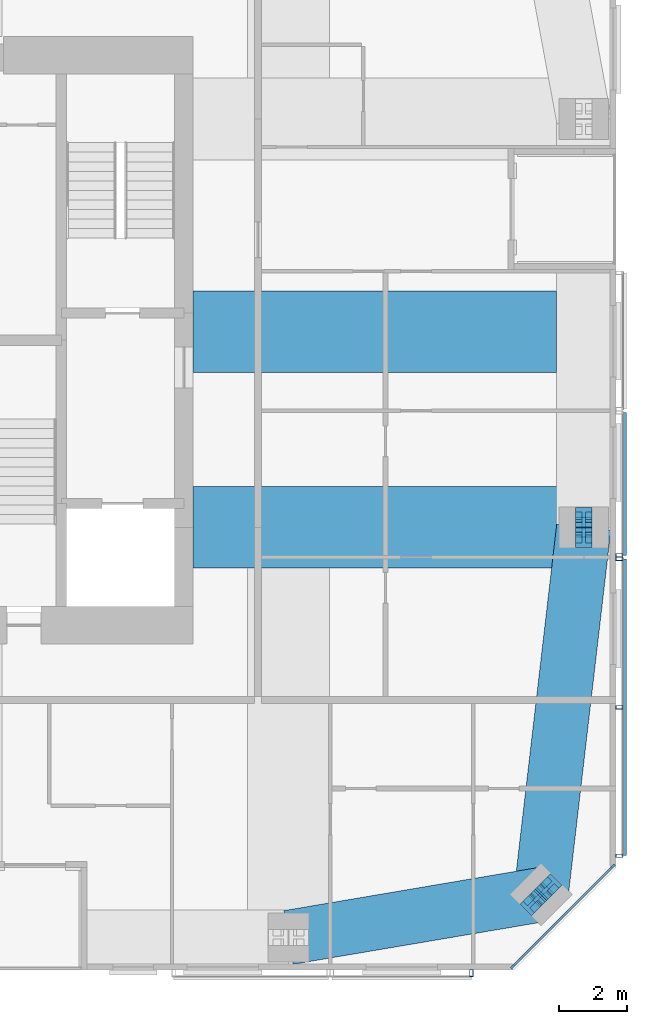
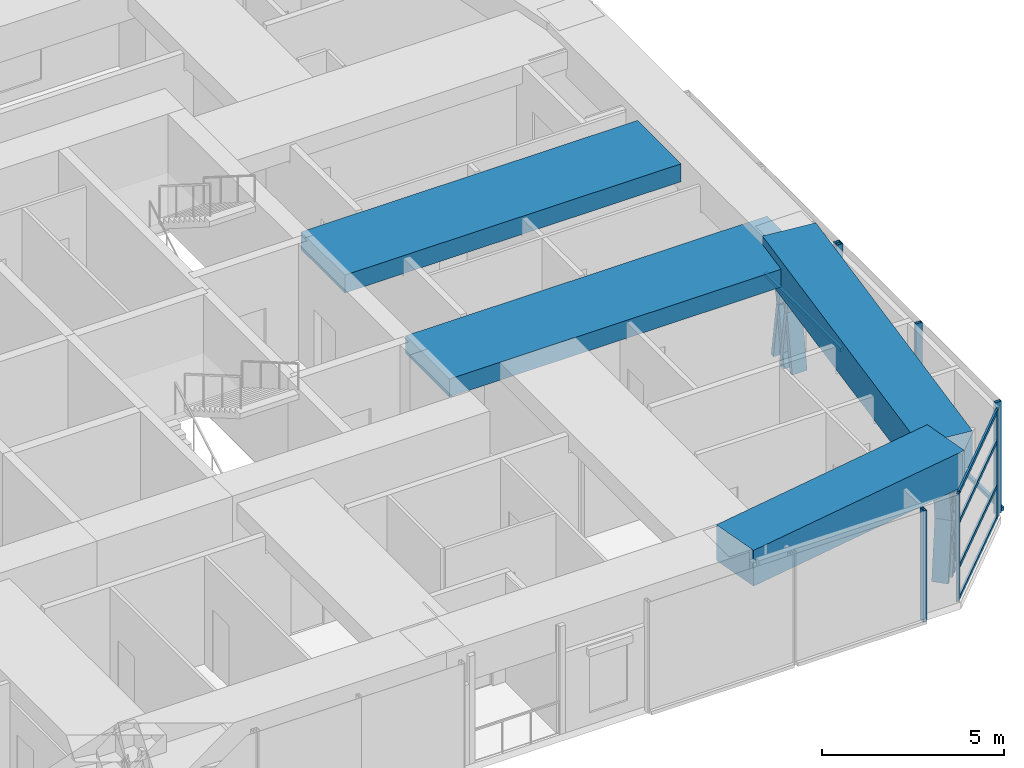
# One storey, part 8 of 20: 21 members, 4 beams, 4 elements without a shape of their own.
"""IFC4 building model written with IfcOpenShell, lengths in metres."""

from ifc_helpers import new_model, si_unit, direction, frame, origin, origin_2d, place, context, subcontext, project, spatial, rectangle, hollow_rectangle, i_section, extrude, material, material_profile, profile_set, type_object, element, aggregate, save


model = new_model("IFC4")

# Units and contexts
model_context = context("Model", 3, precision=1e-05, world=origin(), true_north=direction((0.0, 1.0)))
body_context = subcontext(model_context, "Body", "Model", "MODEL_VIEW")
ifc_project = project(units=[si_unit("LENGTHUNIT", "METRE"), si_unit("AREAUNIT", "SQUARE_METRE"), si_unit("VOLUMEUNIT", "CUBIC_METRE"), si_unit("PLANEANGLEUNIT", "RADIAN"), si_unit("MASSUNIT", "GRAM", prefix="KILO")], contexts=[model_context])

# Site, building, storey
site_placement = place(None, origin())
site = spatial("IfcSite", under=ifc_project, at=site_placement, CompositionType="ELEMENT")
building_placement = place(site_placement, origin())
building = spatial("IfcBuilding", under=site, at=building_placement, Name="Jalousie Tower", CompositionType="ELEMENT")
storey_placement = place(building_placement, frame((0.0, 0.0, 263.85009765625)))
storey = spatial("IfcBuildingStorey", under=building, at=storey_placement, Name="L72", CompositionType="ELEMENT", Elevation=263.85009765625)

# Curtain wall, members
ifc_material_1 = material(Name="Aluminium curtain wall", Category="aluminium")
curtain_wall_type_1 = type_object("IfcCurtainWallType", Name="PENTHOUSE CORNER WINDOW WALL", PredefinedType="USERDEFINED", material=ifc_material_1)
curtain_wall_1_placement = place(storey_placement, origin())
curtain_wall_1 = element("IfcCurtainWall", 1, at=curtain_wall_1_placement, inside=storey, type_object=curtain_wall_type_1, Name="Penthouse Corner Window Wall L72 2", ObjectType="PENTHOUSE CORNER WINDOW WALL", PredefinedType="USERDEFINED")
ifc_material_2 = material(Name="Aluminium mullion", Category="aluminium")
ifc_material_profile_1 = material_profile(ifc_material_2, rectangle(XDim=0.06005859375, YDim=0.179931640625, at=origin_2d()), Name="MULLION 60x180")
ifc_profile_set_1 = profile_set([ifc_material_profile_1], Name="Aluminium mullion")
member_type_1 = type_object("IfcMemberType", Name="PENTHOUSE CORNER WINDOW WALL MULLION", PredefinedType="MULLION", material=ifc_profile_set_1)
member_1_placement = place(storey_placement, frame((53.469970703125, 0.108642578125, 0.0), z_axis=(0.0, 0.0, 1.0), x_axis=(-0.707106781187, 0.707106781187, 0.0)))
member_1 = element("IfcMember", 2, at=member_1_placement, type_object=member_type_1, Name="CW-H mullion 1", PredefinedType="MULLION", context=body_context, shape_type="SweptSolid", body=[
    extrude(rectangle(XDim=0.06005859375, YDim=0.179931640625, at=origin_2d()), origin(), (0.0, 0.0, 1.0), 3.619873046875),
])
member_2_placement = place(storey_placement, frame((56.391357421875, 3.030029296875, 0.0), z_axis=(0.0, 0.0, 1.0), x_axis=(-0.707106781187, 0.707106781187, 0.0)))
member_2 = element("IfcMember", 3, at=member_2_placement, type_object=member_type_1, Name="CW-H mullion 2", PredefinedType="MULLION", context=body_context, shape_type="SweptSolid", body=[
    extrude(rectangle(XDim=0.06005859375, YDim=0.179931640625, at=origin_2d()), origin(), (0.0, 0.0, 1.0), 3.619873046875),
])
ifc_material_3 = material(Name="Aluminium transom", Category="aluminium")
ifc_material_profile_2 = material_profile(ifc_material_3, rectangle(XDim=0.06005859375, YDim=0.125, at=origin_2d()), Name="TRANSOM 60x125")
ifc_profile_set_2 = profile_set([ifc_material_profile_2], Name="Aluminium transom")
member_type_2 = type_object("IfcMemberType", Name="PENTHOUSE CORNER WINDOW WALL TRANSOM", PredefinedType="USERDEFINED", material=ifc_profile_set_2)
member_3_placement = place(storey_placement, frame((53.4912109375, 0.1298828125, 0.02978515625), z_axis=(0.707106781187, 0.707106781187, 0.0), x_axis=(-0.707106781187, 0.707106781187, 0.0)))
member_3 = element("IfcMember", 4, at=member_3_placement, type_object=member_type_2, Name="CW-H transom 1.1", ObjectType="TRANSOM", PredefinedType="USERDEFINED", context=body_context, shape_type="SweptSolid", body=[
    extrude(rectangle(XDim=0.06005859375, YDim=0.125, at=origin_2d()), origin(), (0.0, 0.0, 1.0), 4.0712890625),
])
member_4_placement = place(storey_placement, frame((53.4912109375, 0.1298828125, 1.099853515625), z_axis=(0.707106781187, 0.707106781187, 0.0), x_axis=(-0.707106781187, 0.707106781187, 0.0)))
member_4 = element("IfcMember", 5, at=member_4_placement, type_object=member_type_2, Name="CW-H transom 1.2", ObjectType="TRANSOM", PredefinedType="USERDEFINED", context=body_context, shape_type="SweptSolid", body=[
    extrude(rectangle(XDim=0.06005859375, YDim=0.125, at=origin_2d()), origin(), (0.0, 0.0, 1.0), 4.0712890625),
])
member_5_placement = place(storey_placement, frame((53.4912109375, 0.1298828125, 2.599853515625), z_axis=(0.707106781187, 0.707106781187, 0.0), x_axis=(-0.707106781187, 0.707106781187, 0.0)))
member_5 = element("IfcMember", 6, at=member_5_placement, type_object=member_type_2, Name="CW-H transom 1.3", ObjectType="TRANSOM", PredefinedType="USERDEFINED", context=body_context, shape_type="SweptSolid", body=[
    extrude(rectangle(XDim=0.06005859375, YDim=0.125, at=origin_2d()), origin(), (0.0, 0.0, 1.0), 4.0712890625),
])
member_6_placement = place(storey_placement, frame((53.4912109375, 0.1298828125, 3.58984375), z_axis=(0.707106781187, 0.707106781187, 0.0), x_axis=(-0.707106781187, 0.707106781187, 0.0)))
member_6 = element("IfcMember", 7, at=member_6_placement, type_object=member_type_2, Name="CW-H transom 1.4", ObjectType="TRANSOM", PredefinedType="USERDEFINED", context=body_context, shape_type="SweptSolid", body=[
    extrude(rectangle(XDim=0.06005859375, YDim=0.125, at=origin_2d()), origin(), (0.0, 0.0, 1.0), 4.0712890625),
])
aggregate(curtain_wall_1, [member_1, member_2, member_3, member_4, member_5, member_6])

# Members
ifc_material_4 = material(Name="Steel ASTM A992 Grade 50", Category="steel")
ifc_material_profile_3 = material_profile(ifc_material_4, i_section(OverallWidth=0.472412109375, OverallDepth=0.5791015625, WebThickness=0.094970703125, FlangeThickness=0.1298828125, at=origin_2d()), Name="W14X808")
ifc_profile_set_3 = profile_set([ifc_material_profile_3], Name="Steel ASTM A992 Grade 50")
member_type_3 = type_object("IfcMemberType", Name="PERIMETER BRACE W14X808", PredefinedType="BRACE", material=ifc_profile_set_3)
for number, where, z_axis, x_axis, name in (
    (8, (54.04541015625, 1.959716796875, -0.60009765625), (0.124960137712, 0.124836902862, 0.984276745467), (-0.706757851183, 0.707455539091, 0.0), "Perimeter brace 05 L72 part 1"),
    (9, (54.29296875, 2.20703125, 1.349853515625), (0.124836902862, 0.124960137712, 0.984276745467), (-0.707455539091, 0.706757851183, 0.0), "Perimeter brace 05 L72 part 2"),
    (10, (54.540283203125, 2.45458984375, -0.60009765625), (-0.124836902862, -0.124960137712, 0.984276745467), (0.707455539091, -0.706757851183, 0.0), "Perimeter brace 05 L72 part 3"),
    (11, (54.29296875, 2.20703125, 1.349853515625), (-0.124960137712, -0.124836902862, 0.984276745467), (0.706757851183, -0.707455539091, 0.0), "Perimeter brace 05 L72 part 4"),
):
    element("IfcMember", number, at=place(storey_placement, frame(where, z_axis=z_axis, x_axis=x_axis)), inside=storey, type_object=member_type_3, Name=name, PredefinedType="BRACE", context=body_context, shape_type="SweptSolid", body=[
        extrude(i_section(OverallWidth=0.472412109375, OverallDepth=0.5791015625, WebThickness=0.094970703125, FlangeThickness=0.1298828125, at=origin_2d()), origin(), (0.0, 0.0, 1.0), 1.981201171875),
    ])
for number, where, z_axis, x_axis, name in (
    (12, (55.550048828125, 12.699951171875, -0.60009765625), (0.0, 0.152085080919, 0.988367405453), (-1.0, 0.0, 0.0), "Perimeter brace 06 L72 part 1"),
    (13, (55.550048828125, 13.0, 1.349853515625), (0.0, 0.152085080919, 0.988367405453), (-1.0, 0.0, 0.0), "Perimeter brace 06 L72 part 2"),
    (14, (55.550048828125, 13.300048828125, -0.60009765625), (0.0, -0.152085080919, 0.988367405453), (1.0, 0.0, 0.0), "Perimeter brace 06 L72 part 3"),
    (15, (55.550048828125, 13.0, 1.349853515625), (0.0, -0.152085080919, 0.988367405453), (1.0, 0.0, 0.0), "Perimeter brace 06 L72 part 4"),
):
    element("IfcMember", number, at=place(storey_placement, frame(where, z_axis=z_axis, x_axis=x_axis)), inside=storey, type_object=member_type_3, Name=name, PredefinedType="BRACE", context=body_context, shape_type="SweptSolid", body=[
        extrude(i_section(OverallWidth=0.472412109375, OverallDepth=0.5791015625, WebThickness=0.094970703125, FlangeThickness=0.1298828125, at=origin_2d()), origin(), (0.0, 0.0, 1.0), 1.972900390625),
    ])

# Beams
ifc_material_5 = material(Name="Concrete f'c 40 MPa", Category="concrete")
ifc_material_profile_4 = material_profile(ifc_material_5, rectangle(XDim=1.60009765625, YDim=1.199951171875, at=origin_2d()), Name="RC 1600x1200")
ifc_profile_set_4 = profile_set([ifc_material_profile_4], Name="Concrete f'c 40 MPa")
beam_type_1 = type_object("IfcBeamType", Name="RC BEAM 1600x1200", PredefinedType="BEAM", material=ifc_profile_set_4)
beam_1_placement = place(storey_placement, frame((46.875, 0.949951171875, 3.2998046875), z_axis=(0.985942997446, 0.167082033105, 0.0), x_axis=(-0.167082033105, 0.985942997446, 0.0)))
element("IfcBeam", 16, at=beam_1_placement, inside=storey, type_object=beam_type_1, Name="Edge band beam 04-05 under L73", PredefinedType="BEAM", context=body_context, shape_type="SweptSolid", body=[
    extrude(rectangle(XDim=1.60009765625, YDim=1.199951171875, at=origin_2d()), origin(), (0.0, 0.0, 1.0), 7.523681640625),
])
beam_2_placement = place(storey_placement, frame((54.29296875, 2.20703125, 3.2998046875), z_axis=(0.115690063472, 0.993285361421, 0.0), x_axis=(-0.993285361421, 0.115690063472, 0.0)))
element("IfcBeam", 17, at=beam_2_placement, inside=storey, type_object=beam_type_1, Name="Edge band beam 05-06 under L73", PredefinedType="BEAM", context=body_context, shape_type="SweptSolid", body=[
    extrude(rectangle(XDim=1.60009765625, YDim=1.199951171875, at=origin_2d()), origin(), (0.0, 0.0, 1.0), 10.865966796875),
])
ifc_material_6 = material(Name="Concrete f'c 40 MPa", Category="concrete")
ifc_material_profile_5 = material_profile(ifc_material_6, rectangle(XDim=2.39990234375, YDim=0.60009765625, at=origin_2d()), Name="RC 2400x600")
ifc_profile_set_5 = profile_set([ifc_material_profile_5], Name="Concrete f'c 40 MPa")
beam_type_2 = type_object("IfcBeamType", Name="RC BEAM 2400x600", PredefinedType="BEAM", material=ifc_profile_set_5)
beam_3_placement = place(storey_placement, frame((55.550048828125, 13.0, 3.31982421875), z_axis=(-1.0, 0.0, 0.0), x_axis=(0.0, -1.0, 0.0)))
element("IfcBeam", 18, at=beam_3_placement, inside=storey, type_object=beam_type_2, Name="Floor band beam under L73", PredefinedType="BEAM", context=body_context, shape_type="SweptSolid", body=[
    extrude(rectangle(XDim=2.39990234375, YDim=0.60009765625, at=origin_2d()), origin(), (0.0, 0.0, 1.0), 11.47509765625),
])
beam_4_placement = place(storey_placement, frame((44.074951171875, 18.75, 3.31982421875), z_axis=(1.0, 0.0, 0.0), x_axis=(0.0, 1.0, 0.0)))
element("IfcBeam", 19, at=beam_4_placement, inside=storey, type_object=beam_type_2, Name="Floor band beam under L73", PredefinedType="BEAM", context=body_context, shape_type="SweptSolid", body=[
    extrude(rectangle(XDim=2.39990234375, YDim=0.60009765625, at=origin_2d()), origin(), (0.0, 0.0, 1.0), 10.675048828125),
])

# Curtain wall, member
ifc_material_7 = material(Name="Perforated aluminium sheet", Category="aluminium")
curtain_wall_type_2 = type_object("IfcCurtainWallType", Name="SOLAR SCREEN SS-2", PredefinedType="USERDEFINED", material=ifc_material_7)
curtain_wall_2_placement = place(storey_placement, origin())
curtain_wall_2 = element("IfcCurtainWall", 20, at=curtain_wall_2_placement, inside=storey, type_object=curtain_wall_type_2, Name="Solar screen L72", ObjectType="SOLAR SCREEN SS-2", PredefinedType="USERDEFINED")
ifc_material_8 = material(Name="Steel ASTM A500 Grade C", Category="steel")
ifc_material_profile_6 = material_profile(ifc_material_8, hollow_rectangle(XDim=0.1015625, YDim=0.203125, WallThickness=0.0078125, at=origin_2d()), Name="HSS8X4X5/16")
ifc_profile_set_6 = profile_set([ifc_material_profile_6], Name="Steel ASTM A500 Grade C")
member_type_4 = type_object("IfcMemberType", Name="SOLAR SCREEN SS-2 MULLION", PredefinedType="MULLION", material=ifc_profile_set_6)
member_7_placement = place(storey_placement, frame((52.25, -0.0966796875, -0.1201171875), z_axis=(0.0, 0.0, 1.0), x_axis=(1.0, 0.0, 0.0)))
member_7 = element("IfcMember", 21, at=member_7_placement, type_object=member_type_4, Name="SS2 post 2", PredefinedType="MULLION", context=body_context, shape_type="SweptSolid", body=[
    extrude(hollow_rectangle(XDim=0.1015625, YDim=0.203125, WallThickness=0.0078125, at=origin_2d()), origin(), (0.0, 0.0, 1.0), 3.739990234375),
])
aggregate(curtain_wall_2, [member_7])

# Curtain wall, members
curtain_wall_3_placement = place(storey_placement, origin())
curtain_wall_3 = element("IfcCurtainWall", 22, at=curtain_wall_3_placement, inside=storey, type_object=curtain_wall_type_2, Name="Solar screen L72", ObjectType="SOLAR SCREEN SS-2", PredefinedType="USERDEFINED")
member_8_placement = place(storey_placement, frame((56.5966796875, 3.351318359375, -0.1201171875), z_axis=(0.0, 0.0, 1.0), x_axis=(0.0, 1.0, 0.0)))
member_8 = element("IfcMember", 23, at=member_8_placement, type_object=member_type_4, Name="SS2 post 1", PredefinedType="MULLION", context=body_context, shape_type="SweptSolid", body=[
    extrude(hollow_rectangle(XDim=0.1015625, YDim=0.203125, WallThickness=0.0078125, at=origin_2d()), origin(), (0.0, 0.0, 1.0), 3.739990234375),
])
member_9_placement = place(storey_placement, frame((56.5966796875, 7.713134765625, -0.1201171875), z_axis=(0.0, 0.0, 1.0), x_axis=(0.0, 1.0, 0.0)))
member_9 = element("IfcMember", 24, at=member_9_placement, type_object=member_type_4, Name="SS2 post 2", PredefinedType="MULLION", context=body_context, shape_type="SweptSolid", body=[
    extrude(hollow_rectangle(XDim=0.1015625, YDim=0.203125, WallThickness=0.0078125, at=origin_2d()), origin(), (0.0, 0.0, 1.0), 3.739990234375),
])
member_10_placement = place(storey_placement, frame((56.5966796875, 12.074951171875, -0.1201171875), z_axis=(0.0, 0.0, 1.0), x_axis=(0.0, 1.0, 0.0)))
member_10 = element("IfcMember", 25, at=member_10_placement, type_object=member_type_4, Name="SS2 post 3", PredefinedType="MULLION", context=body_context, shape_type="SweptSolid", body=[
    extrude(hollow_rectangle(XDim=0.1015625, YDim=0.203125, WallThickness=0.0078125, at=origin_2d()), origin(), (0.0, 0.0, 1.0), 3.739990234375),
])

# Curtain wall, member
curtain_wall_4_placement = place(storey_placement, origin())
curtain_wall_4 = element("IfcCurtainWall", 26, at=curtain_wall_4_placement, inside=storey, type_object=curtain_wall_type_2, Name="Solar screen L72", ObjectType="SOLAR SCREEN SS-2", PredefinedType="USERDEFINED")
member_11_placement = place(storey_placement, frame((56.5966796875, 12.175048828125, -0.1201171875), z_axis=(0.0, 0.0, 1.0), x_axis=(0.0, 1.0, 0.0)))
member_11 = element("IfcMember", 27, at=member_11_placement, type_object=member_type_4, Name="SS2 post 1", PredefinedType="MULLION", context=body_context, shape_type="SweptSolid", body=[
    extrude(hollow_rectangle(XDim=0.1015625, YDim=0.203125, WallThickness=0.0078125, at=origin_2d()), origin(), (0.0, 0.0, 1.0), 3.739990234375),
])

# Member
ifc_material_9 = material(Name="Extruded aluminium screen rail", Category="aluminium")
ifc_material_profile_7 = material_profile(ifc_material_9, rectangle(XDim=0.1015625, YDim=0.1201171875, at=origin_2d()), Name="RAIL 102x120")
ifc_profile_set_7 = profile_set([ifc_material_profile_7], Name="Extruded aluminium screen rail")
member_type_5 = type_object("IfcMemberType", Name="SOLAR SCREEN SS-2 TRANSOM", PredefinedType="USERDEFINED", material=ifc_profile_set_7)
member_12_placement = place(storey_placement, frame((56.7490234375, 3.351318359375, -0.06005859375), z_axis=(0.0, 1.0, 0.0), x_axis=(-1.0, 0.0, 0.0)))
member_12 = element("IfcMember", 28, at=member_12_placement, type_object=member_type_5, Name="SS2 rail", ObjectType="TRANSOM", PredefinedType="USERDEFINED", context=body_context, shape_type="SweptSolid", body=[
    extrude(rectangle(XDim=0.1015625, YDim=0.1201171875, at=origin_2d()), origin(), (0.0, 0.0, 1.0), 8.7236328125),
])

aggregate(curtain_wall_3, [member_8, member_9, member_10, member_12])

member_13_placement = place(storey_placement, frame((56.7490234375, 12.175048828125, -0.06005859375), z_axis=(0.0, 1.0, 0.0), x_axis=(-1.0, 0.0, 0.0)))
member_13 = element("IfcMember", 29, at=member_13_placement, type_object=member_type_5, Name="SS2 rail", ObjectType="TRANSOM", PredefinedType="USERDEFINED", context=body_context, shape_type="SweptSolid", body=[
    extrude(rectangle(XDim=0.1015625, YDim=0.1201171875, at=origin_2d()), origin(), (0.0, 0.0, 1.0), 4.199951171875),
])

aggregate(curtain_wall_4, [member_11, member_13])

save(model, "model.ifc")
